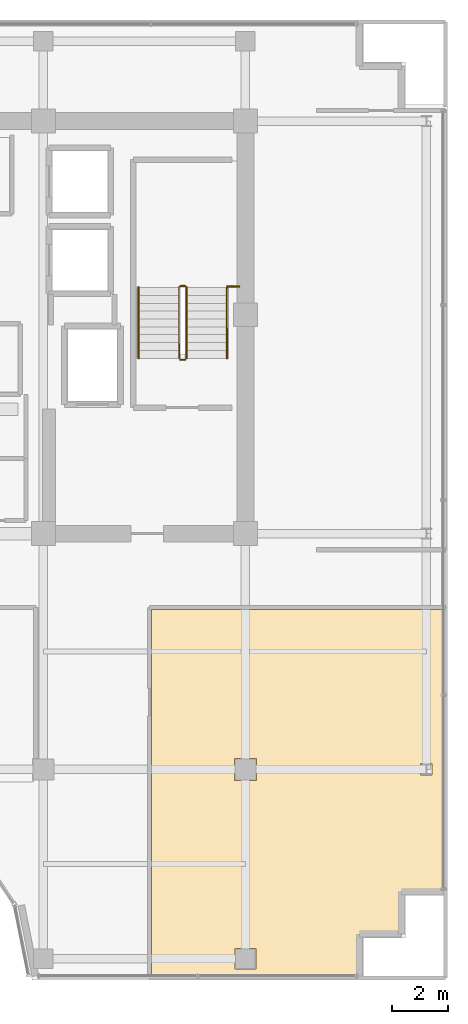
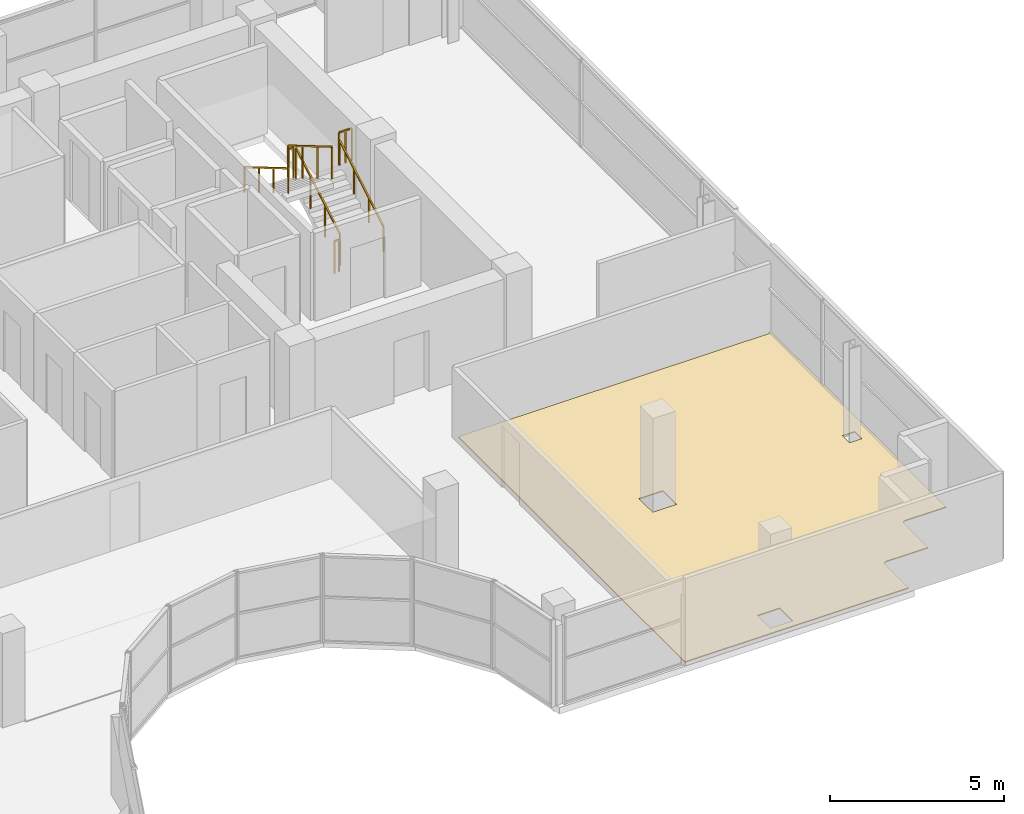
# One storey, part 27 of 28: 7 railings, 1 covering.
"""IFC4 building model written with IfcOpenShell, lengths in metres."""

import ifcopenshell
import ifcopenshell.guid

model = None  # the IFC model being written
_history = None  # IfcOwnerHistory: only IFC2X3 demands one
_inside = {}  # id of a spatial element -> (the spatial element, [elements in it])
_under = {}  # id of a project, library or spatial element -> (it, [spatial elements below it])
_declared = {}  # id of a project -> (the project, [libraries it declares])
_typed = {}  # id of a type object -> (the type object, [elements of that type])
_made_of = {}  # id of a material, layer set ... -> (it, [elements and type objects made of it])


def new_model(schema):
    """Start an empty IFC model of exactly this schema.

    Asked for "IFC4X3", IfcOpenShell would pick the latest addendum, in which some entities
    have other attributes; the version numbers below select the first issue.
    IFC2X3 requires an IfcOwnerHistory on every rooted entity: one is made here for all.
    """
    global model, _history
    if schema == "IFC4X3":
        model = ifcopenshell.file(schema_version=(4, 3, 0, 0))
    else:
        model = ifcopenshell.file(schema=schema)
    _inside.clear()
    _under.clear()
    _declared.clear()
    _typed.clear()
    _made_of.clear()
    _history = None
    if model.schema == "IFC2X3":
        org = make("IfcOrganization", Name="unknown")
        user = make(
            "IfcPersonAndOrganization",
            ThePerson=make("IfcPerson", FamilyName="unknown"),
            TheOrganization=org,
        )
        app = make(
            "IfcApplication",
            ApplicationDeveloper=org,
            Version="unknown",
            ApplicationFullName="unknown",
            ApplicationIdentifier="unknown",
        )
        _history = make(
            "IfcOwnerHistory",
            OwningUser=user,
            OwningApplication=app,
            ChangeAction="ADDED",
            CreationDate=0,
        )
    return model


def make(cls, **values):
    """One entity of the class cls with the attributes given. An attribute that is None is left unset."""
    return model.create_entity(
        cls, **{name: value for name, value in values.items() if value is not None}
    )


def rooted(cls, **values):
    """An entity with a GlobalId (a new one), such as an element, a storey or a relation."""
    return make(cls, GlobalId=ifcopenshell.guid.new(), OwnerHistory=_history, **values)


def si_unit(unit_type, name, prefix=None):
    """IfcSIUnit, for example si_unit("LENGTHUNIT", "METRE", prefix="MILLI")."""
    return make("IfcSIUnit", UnitType=unit_type, Prefix=prefix, Name=name)


def assignment(units):
    """IfcUnitAssignment: the units of a project."""
    return None if units is None else make("IfcUnitAssignment", Units=units)


def point(xyz):
    """IfcCartesianPoint."""
    return None if xyz is None else make("IfcCartesianPoint", Coordinates=xyz)


def direction(xyz):
    """IfcDirection."""
    return None if xyz is None else make("IfcDirection", DirectionRatios=xyz)


def frame(location, z_axis=None, x_axis=None):
    """IfcAxis2Placement3D, a coordinate frame: its origin and axes. An axis left out is left unset."""
    return make(
        "IfcAxis2Placement3D",
        Location=point(location),
        Axis=direction(z_axis),
        RefDirection=direction(x_axis),
    )


def frame_2d(location, x_axis=None):
    """IfcAxis2Placement2D, a coordinate frame in the plane: its origin and x axis."""
    return make(
        "IfcAxis2Placement2D", Location=point(location), RefDirection=direction(x_axis)
    )


def origin():
    """The frame at (0, 0, 0) with its axes left unset."""
    return frame((0.0, 0.0, 0.0))


def origin_2d():
    """The frame at (0, 0) in the plane with its x axis left unset."""
    return frame_2d((0.0, 0.0))


def place(relative_to, where):
    """IfcLocalPlacement: puts the frame where relative to a parent placement (None: the world)."""
    return make(
        "IfcLocalPlacement", PlacementRelTo=relative_to, RelativePlacement=where
    )


def context(
    kind, dimensions, precision=None, world=None, true_north=None, identifier=None
):
    """IfcGeometricRepresentationContext, for example the 3D "Model" context."""
    return make(
        "IfcGeometricRepresentationContext",
        ContextIdentifier=identifier,
        ContextType=kind,
        CoordinateSpaceDimension=dimensions,
        Precision=precision,
        WorldCoordinateSystem=world,
        TrueNorth=true_north,
    )


def subcontext(parent, identifier, kind, view, scale=None):
    """IfcGeometricRepresentationSubContext, for example "Body" below "Model"."""
    return make(
        "IfcGeometricRepresentationSubContext",
        ContextIdentifier=identifier,
        ContextType=kind,
        ParentContext=parent,
        TargetScale=scale,
        TargetView=view,
    )


def project(units=None, contexts=None):
    """IfcProject with its units and contexts."""
    return rooted(
        "IfcProject",
        Name="project",
        RepresentationContexts=contexts,
        UnitsInContext=assignment(units),
    )


def spatial(cls, under=None, at=None, **own):
    """A site, building, storey or space (cls), placed at a placement, below another one or the project."""
    s = rooted(cls, ObjectPlacement=at, **own)
    if under is not None:
        _under.setdefault(under.id(), (under, []))[1].append(s)
    return s


def polyline(points):
    """IfcPolyline through the points."""
    return make("IfcPolyline", Points=[point(p) for p in points])


def profile(cls, at=None, kind="AREA", **sizes):
    """A parametric profile (cls). Its sizes go by their IFC names, for example OverallWidth=200.0."""
    return make(cls, ProfileType=kind, Position=at, **sizes)


def rectangle(**sizes):
    """IfcRectangleProfileDef."""
    return profile("IfcRectangleProfileDef", **sizes)


def outline(outer, holes=None, kind="AREA"):
    """IfcArbitraryClosedProfileDef: a profile drawn as a closed curve; with holes, ...WithVoids."""
    if holes is None:
        return make("IfcArbitraryClosedProfileDef", ProfileType=kind, OuterCurve=outer)
    return make(
        "IfcArbitraryProfileDefWithVoids",
        ProfileType=kind,
        OuterCurve=outer,
        InnerCurves=holes,
    )


def extrude(swept, where, along, depth):
    """IfcExtrudedAreaSolid: the profile swept, set in the frame where, extruded along a direction by depth."""
    return make(
        "IfcExtrudedAreaSolid",
        SweptArea=swept,
        Position=where,
        ExtrudedDirection=direction(along),
        Depth=depth,
    )


def shape(context_of_items, identifier, shape_type, items):
    """IfcShapeRepresentation: the items that make up one representation, for example the "Body"."""
    return make(
        "IfcShapeRepresentation",
        ContextOfItems=context_of_items,
        RepresentationIdentifier=identifier,
        RepresentationType=shape_type,
        Items=items,
    )


def material(Name=None, Category=None):
    """IfcMaterial."""
    return make("IfcMaterial", Name=Name, Category=Category)


def layer(
    of_material, thickness, ventilated=None, Name=None, Category=None, Priority=None
):
    """IfcMaterialLayer: one layer of a wall or slab, of a material (None: an air gap)."""
    return make(
        "IfcMaterialLayer",
        Material=of_material,
        LayerThickness=thickness,
        IsVentilated=ventilated,
        Name=Name,
        Category=Category,
        Priority=Priority,
    )


def layer_set(layers, Name=None):
    """IfcMaterialLayerSet."""
    return make("IfcMaterialLayerSet", MaterialLayers=layers, LayerSetName=Name)


def made_of(thing, what):
    """Note that an element or type object is made of a material, layer set ...; save() writes the relation."""
    if what is not None:
        _made_of.setdefault(what.id(), (what, []))[1].append(thing)
    return thing


def type_object(cls, material=None, **own):
    """A type object (cls), such as IfcWallType, which elements share."""
    return made_of(rooted(cls, **own), material)


def element(
    cls,
    number,
    at=None,
    inside=None,
    cuts=None,
    type_object=None,
    material=None,
    context=None,
    identifier="Body",
    shape_type=None,
    held_by="IfcProductDefinitionShape",
    body=None,
    shapes=None,
    **own,
):
    """One element of the class cls, such as IfcWall. Its Tag is "e" and its number.

    at: its placement. inside: the storey or other place that contains it. cuts: it is an
    opening in that element (IfcRelVoidsElement). A single representation is given by context,
    identifier, shape_type and body (its items); several are given by shapes. held_by: the class
    of the entity that holds the representations. save() writes the other relations.
    """
    e = rooted(cls, Tag="e%d" % number, ObjectPlacement=at, **own)
    if body is not None:
        shapes = [shape(context, identifier, shape_type, body)]
    if shapes is not None:
        e.Representation = make(held_by, Representations=shapes)
    if inside is not None:
        _inside.setdefault(inside.id(), (inside, []))[1].append(e)
    if cuts is not None:
        rooted(
            "IfcRelVoidsElement", RelatingBuildingElement=cuts, RelatedOpeningElement=e
        )
    if type_object is not None:
        _typed.setdefault(type_object.id(), (type_object, []))[1].append(e)
    return made_of(e, material)


def aggregate(whole, parts):
    """IfcRelAggregates: a whole, such as a stair, and the parts it consists of."""
    return rooted("IfcRelAggregates", RelatingObject=whole, RelatedObjects=parts)


def save(model, path):
    """Write the relations noted so far, then the file.

    IfcRelAggregates (storeys below a building ...), IfcRelContainedInSpatialStructure (elements
    in a storey), IfcRelDefinesByType, IfcRelAssociatesMaterial and IfcRelDeclares: one each for
    every whole, place, type object, material and project.
    """
    for whole, parts in _under.values():
        aggregate(whole, parts)
    for where, things in _inside.values():
        rooted(
            "IfcRelContainedInSpatialStructure",
            RelatedElements=things,
            RelatingStructure=where,
        )
    for kind, things in _typed.values():
        rooted("IfcRelDefinesByType", RelatedObjects=things, RelatingType=kind)
    for what, things in _made_of.values():
        rooted("IfcRelAssociatesMaterial", RelatedObjects=things, RelatingMaterial=what)
    for by, libraries in _declared.values():
        rooted("IfcRelDeclares", RelatingContext=by, RelatedDefinitions=libraries)
    model.write(path)


model = new_model("IFC4")

# Units and contexts
model_context = context("Model", 3, precision=1e-05, world=origin(), true_north=direction((0.0, 1.0)))
body_context = subcontext(model_context, "Body", "Model", "MODEL_VIEW")
ifc_project = project(units=[si_unit("LENGTHUNIT", "METRE"), si_unit("AREAUNIT", "SQUARE_METRE"), si_unit("VOLUMEUNIT", "CUBIC_METRE"), si_unit("PLANEANGLEUNIT", "RADIAN"), si_unit("MASSUNIT", "GRAM", prefix="KILO")], contexts=[model_context])

# Site, building, storey
site_placement = place(None, origin())
site = spatial("IfcSite", under=ifc_project, at=site_placement, CompositionType="ELEMENT")
building_placement = place(site_placement, origin())
building = spatial("IfcBuilding", under=site, at=building_placement, Name="Zarnakvel Exchange Tower", CompositionType="ELEMENT")
storey_placement = place(building_placement, frame((0.0, 0.0, 268.300048828125)))
storey = spatial("IfcBuildingStorey", under=building, at=storey_placement, Name="L76", CompositionType="ELEMENT", Elevation=268.300048828125)

# Covering
ifc_material_1 = material(Name="Heavy-Duty Raised Access Floor Panel", Category="steel")
ifc_layer = layer(ifc_material_1, 0.034912109375)
ifc_layer_set = layer_set([ifc_layer], Name="Heavy-Duty Raised Access Floor Panel")
covering_type = type_object("IfcCoveringType", Name="FLR-02", PredefinedType="FLOORING", material=ifc_layer_set)
covering_placement = place(storey_placement, origin())
element("IfcCovering", 1, at=covering_placement, inside=storey, type_object=covering_type, Name="L76 Floor Finish (Seminar Room)", PredefinedType="FLOORING", context=body_context, shape_type="SweptSolid", body=[
    extrude(outline(polyline([(11.06005859375, -3.909912109375), (21.449951171875, -3.909912109375), (21.449951171875, -13.97998046875), (20.10009765625, -13.97998046875), (20.088134765625, -13.98046875), (20.07666015625, -13.982421875), (20.065185546875, -13.985107421875), (20.05419921875, -13.989013671875), (20.04345703125, -13.994140625), (20.033447265625, -14.000244140625), (20.02392578125, -14.00732421875), (20.01513671875, -14.01513671875), (20.00732421875, -14.02392578125), (20.000244140625, -14.033447265625), (19.994140625, -14.04345703125), (19.989013671875, -14.05419921875), (19.985107421875, -14.065185546875), (19.982421875, -14.07666015625), (19.98046875, -14.088134765625), (19.97998046875, -14.10009765625), (19.97998046875, -15.47998046875), (18.60009765625, -15.47998046875), (18.588134765625, -15.48046875), (18.57666015625, -15.482421875), (18.565185546875, -15.485107421875), (18.55419921875, -15.489013671875), (18.54345703125, -15.494140625), (18.533447265625, -15.500244140625), (18.52392578125, -15.50732421875), (18.51513671875, -15.51513671875), (18.50732421875, -15.52392578125), (18.500244140625, -15.533447265625), (18.494140625, -15.54345703125), (18.489013671875, -15.55419921875), (18.485107421875, -15.565185546875), (18.482421875, -15.57666015625), (18.48046875, -15.588134765625), (18.47998046875, -15.60009765625), (18.47998046875, -16.949951171875), (11.06005859375, -16.949951171875), (11.06005859375, -3.909912109375)]), holes=[polyline([(21.057373046875, -9.807373046875), (21.057373046875, -9.392578125), (20.642578125, -9.392578125), (20.642578125, -9.807373046875), (21.057373046875, -9.807373046875)]), polyline([(14.794921875, -9.9951171875), (14.794921875, -9.205078125), (14.0048828125, -9.205078125), (14.0048828125, -9.9951171875), (14.794921875, -9.9951171875)]), polyline([(14.77001953125, -16.719970703125), (14.77001953125, -15.97998046875), (14.030029296875, -15.97998046875), (14.030029296875, -16.719970703125), (14.77001953125, -16.719970703125)])]), origin(), (0.0, 0.0, 1.0), 0.034912109375),
])

# Railings
ifc_material_2 = material(Name="Brushed Stainless Steel", Category="steel")
railing_type_1 = type_object("IfcRailingType", Name="HR-01", PredefinedType="HANDRAIL", material=ifc_material_2)
railing_1_placement = place(storey_placement, frame((13.75, 5.050048828125, 0.1650390625)))
element("IfcRailing", 2, at=railing_1_placement, inside=storey, type_object=railing_type_1, Name="L76 ST-02 stair handrail 1", PredefinedType="HANDRAIL", context=body_context, shape_type="SweptSolid", body=[
    extrude(rectangle(XDim=0.048095703125, YDim=0.048095703125, at=origin_2d()), frame((0.0, 0.0, 0.8759765625), z_axis=(0.0, 0.861560626758, 0.507654692109), x_axis=(-1.0, 0.0, 0.0)), (0.0, 0.0, 1.0), 2.925048828125),
    extrude(rectangle(XDim=0.0419921875, YDim=0.0419921875, at=origin_2d()), origin(), (0.0, 0.0, 1.0), 0.851806640625),
    extrude(rectangle(XDim=0.0419921875, YDim=0.0419921875, at=origin_2d()), frame((0.0, 0.840087890625, 0.494873046875)), (0.0, 0.0, 1.0), 0.851806640625),
    extrude(rectangle(XDim=0.0419921875, YDim=0.0419921875, at=origin_2d()), frame((0.0, 1.679931640625, 0.989990234375)), (0.0, 0.0, 1.0), 0.851806640625),
    extrude(rectangle(XDim=0.0419921875, YDim=0.0419921875, at=origin_2d()), frame((0.0, 2.52001953125, 1.48486328125)), (0.0, 0.0, 1.0), 0.851806640625),
])
railing_2_placement = place(storey_placement, frame((10.590087890625, 7.570068359375, 1.81494140625)))
element("IfcRailing", 3, at=railing_2_placement, inside=storey, type_object=railing_type_1, Name="L76 ST-02 stair handrail 2", PredefinedType="HANDRAIL", context=body_context, shape_type="SweptSolid", body=[
    extrude(rectangle(XDim=0.048095703125, YDim=0.048095703125, at=origin_2d()), frame((0.0, 0.0, 0.8759765625), z_axis=(0.0, -0.86152411907, 0.507716645641), x_axis=(1.0, 0.0, 0.0)), (0.0, 0.0, 1.0), 2.925048828125),
    extrude(rectangle(XDim=0.0419921875, YDim=0.0419921875, at=origin_2d()), origin(), (0.0, 0.0, 1.0), 0.851806640625),
    extrude(rectangle(XDim=0.0419921875, YDim=0.0419921875, at=origin_2d()), frame((0.0, -0.840087890625, 0.4951171875)), (0.0, 0.0, 1.0), 0.851806640625),
    extrude(rectangle(XDim=0.0419921875, YDim=0.0419921875, at=origin_2d()), frame((0.0, -1.679931640625, 0.989990234375)), (0.0, 0.0, 1.0), 0.851806640625),
    extrude(rectangle(XDim=0.0419921875, YDim=0.0419921875, at=origin_2d()), frame((0.0, -2.52001953125, 1.485107421875)), (0.0, 0.0, 1.0), 0.851806640625),
])
ifc_material_3 = material(Name="Architectural Bronze Anodised Aluminium", Category="aluminium")
railing_type_2 = type_object("IfcRailingType", Name="SG-01", PredefinedType="GUARDRAIL", material=ifc_material_3)
railing_3_placement = place(storey_placement, frame((12.300048828125, 5.050048828125, 0.1650390625)))
element("IfcRailing", 4, at=railing_3_placement, inside=storey, type_object=railing_type_2, Name="L76 ST-02 stair guard 1", PredefinedType="GUARDRAIL", context=body_context, shape_type="SweptSolid", body=[
    extrude(rectangle(XDim=0.048095703125, YDim=0.048095703125, at=origin_2d()), frame((0.0, 0.0, 1.1259765625), z_axis=(0.0, 0.861560626758, 0.507654692109), x_axis=(-1.0, 0.0, 0.0)), (0.0, 0.0, 1.0), 2.925048828125),
    extrude(rectangle(XDim=0.0419921875, YDim=0.0419921875, at=origin_2d()), origin(), (0.0, 0.0, 1.0), 1.101806640625),
    extrude(rectangle(XDim=0.0419921875, YDim=0.0419921875, at=origin_2d()), frame((0.0, 0.840087890625, 0.494873046875)), (0.0, 0.0, 1.0), 1.101806640625),
    extrude(rectangle(XDim=0.0419921875, YDim=0.0419921875, at=origin_2d()), frame((0.0, 1.679931640625, 0.989990234375)), (0.0, 0.0, 1.0), 1.101806640625),
    extrude(rectangle(XDim=0.0419921875, YDim=0.0419921875, at=origin_2d()), frame((0.0, 2.52001953125, 1.48486328125)), (0.0, 0.0, 1.0), 1.101806640625),
])
railing_4_placement = place(storey_placement, frame((12.25, 7.6201171875, 1.64990234375)))
element("IfcRailing", 5, at=railing_4_placement, inside=storey, type_object=railing_type_2, Name="L76 ST-02 stair guard 2", PredefinedType="GUARDRAIL", context=body_context, shape_type="SweptSolid", body=[
    extrude(rectangle(XDim=0.048095703125, YDim=0.048095703125, at=origin_2d()), frame((0.0, 0.0, 1.1259765625), z_axis=(-1.0, 0.0, 0.0), x_axis=(0.0, -1.0, 0.0)), (0.0, 0.0, 1.0), 0.159912109375),
    extrude(rectangle(XDim=0.0419921875, YDim=0.0419921875, at=origin_2d()), origin(), (0.0, 0.0, 1.0), 1.101806640625),
    extrude(rectangle(XDim=0.0419921875, YDim=0.0419921875, at=origin_2d()), frame((-0.159912109375, 0.0, 0.0)), (0.0, 0.0, 1.0), 1.101806640625),
])
railing_5_placement = place(storey_placement, frame((12.0400390625, 7.570068359375, 1.81494140625)))
element("IfcRailing", 6, at=railing_5_placement, inside=storey, type_object=railing_type_2, Name="L76 ST-02 stair guard 3", PredefinedType="GUARDRAIL", context=body_context, shape_type="SweptSolid", body=[
    extrude(rectangle(XDim=0.048095703125, YDim=0.048095703125, at=origin_2d()), frame((0.0, 0.0, 1.1259765625), z_axis=(0.0, -0.86152411907, 0.507716645641), x_axis=(1.0, 0.0, 0.0)), (0.0, 0.0, 1.0), 2.925048828125),
    extrude(rectangle(XDim=0.0419921875, YDim=0.0419921875, at=origin_2d()), origin(), (0.0, 0.0, 1.0), 1.101806640625),
    extrude(rectangle(XDim=0.0419921875, YDim=0.0419921875, at=origin_2d()), frame((0.0, -0.840087890625, 0.4951171875)), (0.0, 0.0, 1.0), 1.101806640625),
    extrude(rectangle(XDim=0.0419921875, YDim=0.0419921875, at=origin_2d()), frame((0.0, -1.679931640625, 0.989990234375)), (0.0, 0.0, 1.0), 1.101806640625),
    extrude(rectangle(XDim=0.0419921875, YDim=0.0419921875, at=origin_2d()), frame((0.0, -2.52001953125, 1.485107421875)), (0.0, 0.0, 1.0), 1.101806640625),
])
railing_6_placement = place(storey_placement, frame((12.25, 5.0, 0.0)))
element("IfcRailing", 7, at=railing_6_placement, inside=storey, type_object=railing_type_2, Name="L76 ST-02 stair guard 4", PredefinedType="GUARDRAIL", context=body_context, shape_type="SweptSolid", body=[
    extrude(rectangle(XDim=0.048095703125, YDim=0.048095703125, at=origin_2d()), frame((0.0, 0.0, 1.1259765625), z_axis=(-1.0, 0.0, 0.0), x_axis=(0.0, -1.0, 0.0)), (0.0, 0.0, 1.0), 0.159912109375),
    extrude(rectangle(XDim=0.0419921875, YDim=0.0419921875, at=origin_2d()), origin(), (0.0, 0.0, 1.0), 1.101806640625),
    extrude(rectangle(XDim=0.0419921875, YDim=0.0419921875, at=origin_2d()), frame((-0.159912109375, 0.0, 0.0)), (0.0, 0.0, 1.0), 1.101806640625),
])
railing_7_placement = place(storey_placement, frame((13.75, 7.610107421875, 1.64990234375)))
element("IfcRailing", 8, at=railing_7_placement, inside=storey, type_object=railing_type_2, Name="L76 ST-02 Landing Slot Guardrail", PredefinedType="GUARDRAIL", context=body_context, shape_type="SweptSolid", body=[
    extrude(rectangle(XDim=0.048095703125, YDim=0.048095703125, at=origin_2d()), frame((0.0, 0.0, 1.1259765625), z_axis=(1.0, 0.0, 0.0), x_axis=(0.0, 1.0, 0.0)), (0.0, 0.0, 1.0), 0.429931640625),
    extrude(rectangle(XDim=0.0419921875, YDim=0.0419921875, at=origin_2d()), origin(), (0.0, 0.0, 1.0), 1.101806640625),
    extrude(rectangle(XDim=0.0419921875, YDim=0.0419921875, at=origin_2d()), frame((0.21484375, 0.0, 0.0)), (0.0, 0.0, 1.0), 1.101806640625),
    extrude(rectangle(XDim=0.0419921875, YDim=0.0419921875, at=origin_2d()), frame((0.429931640625, 0.0, 0.0)), (0.0, 0.0, 1.0), 1.101806640625),
])

save(model, "model.ifc")
